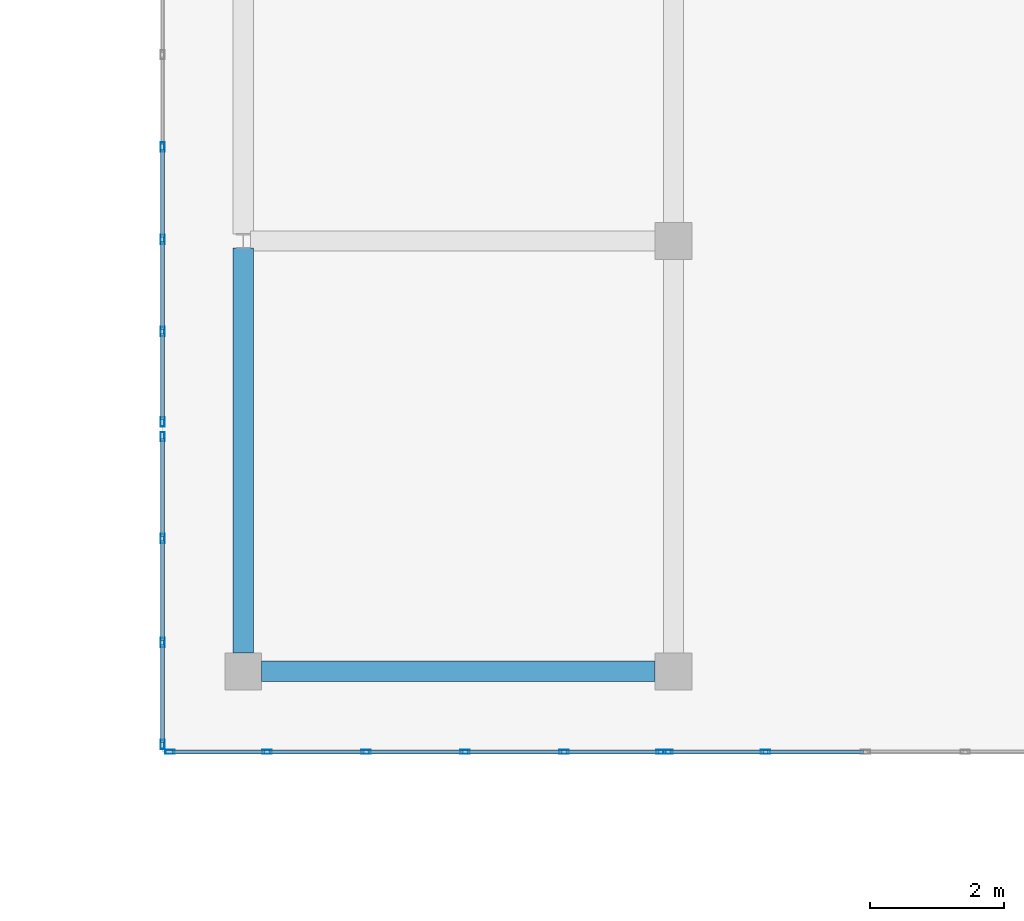
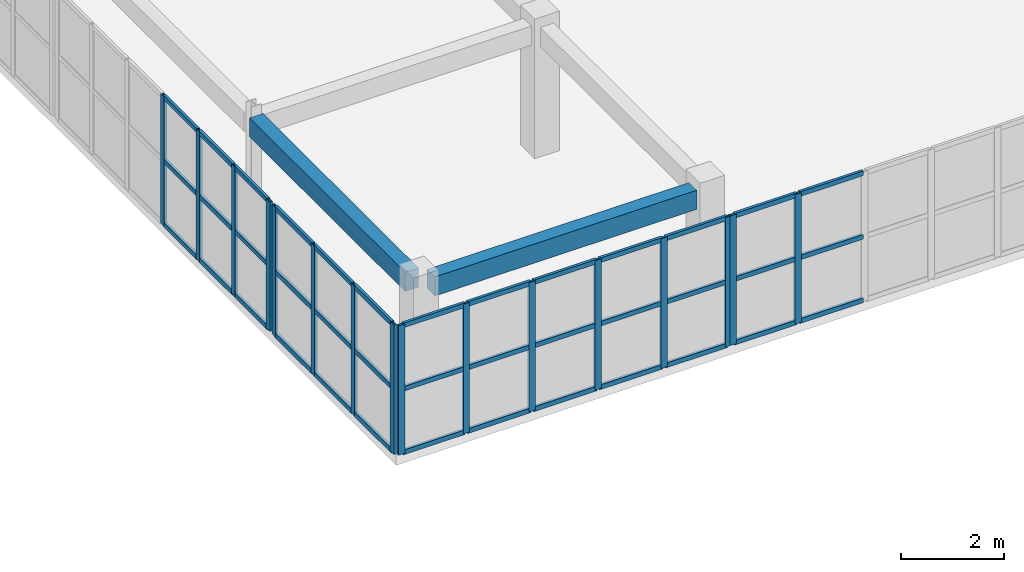
# One storey, part 16 of 148: 55 members, 2 beams, 4 elements without a shape of their own.
"""IFC4 building model written with IfcOpenShell, lengths in metres."""

from ifc_helpers import new_model, si_unit, direction, frame, origin, origin_2d, place, context, subcontext, project, spatial, rectangle, hollow_rectangle, extrude, material, layer, layer_set, material_profile, profile_set, type_object, element, aggregate, save


model = new_model("IFC4")

# Units and contexts
model_context = context("Model", 3, precision=1e-05, world=origin(), true_north=direction((0.0, 1.0)))
body_context = subcontext(model_context, "Body", "Model", "MODEL_VIEW")
ifc_project = project(units=[si_unit("LENGTHUNIT", "METRE"), si_unit("AREAUNIT", "SQUARE_METRE"), si_unit("VOLUMEUNIT", "CUBIC_METRE"), si_unit("PLANEANGLEUNIT", "RADIAN"), si_unit("MASSUNIT", "GRAM", prefix="KILO")], contexts=[model_context])

# Site, building, storey
site_placement = place(None, origin())
site = spatial("IfcSite", under=ifc_project, at=site_placement, CompositionType="ELEMENT")
building_placement = place(site_placement, origin())
building = spatial("IfcBuilding", under=site, at=building_placement, Name="Trelvath General Hospital", CompositionType="ELEMENT")
storey_placement = place(building_placement, frame((0.0, 0.0, 12.89990234375)))
storey = spatial("IfcBuildingStorey", under=building, at=storey_placement, Name="L03", CompositionType="ELEMENT", Elevation=12.89990234375)

# Beams
ifc_material_1 = material(Name="Concrete C35/45", Category="concrete")
ifc_material_profile_1 = material_profile(ifc_material_1, rectangle(XDim=0.300048828125, YDim=0.449951171875, at=origin_2d()), Name="RCB300x450")
ifc_profile_set_1 = profile_set([ifc_material_profile_1], Name="Concrete C35/45")
beam_type = type_object("IfcBeamType", Name="Beam RC300x450", PredefinedType="BEAM", material=ifc_profile_set_1)
beam_1_placement = place(storey_placement, frame((54.6708984375, 38.39990234375, 2.835205078125), z_axis=(1.0, 0.0, 0.0), x_axis=(0.0, 1.0, 0.0)))
element("IfcBeam", 1, at=beam_1_placement, inside=storey, type_object=beam_type, Name="Cube Interior Ring Beam CUBE-W-T1 L03", PredefinedType="BEAM", context=body_context, shape_type="SweptSolid", body=[
    extrude(rectangle(XDim=0.300048828125, YDim=0.449951171875, at=origin_2d()), origin(), (0.0, 0.0, 1.0), 5.858154296875),
])
beam_2_placement = place(storey_placement, frame((54.39990234375, 38.6708984375, 2.835205078125), z_axis=(0.0, 1.0, 0.0), x_axis=(-1.0, 0.0, 0.0)))
element("IfcBeam", 2, at=beam_2_placement, inside=storey, type_object=beam_type, Name="Cube Interior Ring Beam CUBE-W-T1 L03", PredefinedType="BEAM", context=body_context, shape_type="SweptSolid", body=[
    extrude(rectangle(XDim=0.300048828125, YDim=0.449951171875, at=origin_2d()), origin(), (0.0, 0.0, 1.0), 6.023193359375),
])

# Curtain wall, members
ifc_material_2 = material(Name="Anodised aluminium and low-E glass", Category="aluminium")
ifc_layer_1 = layer(ifc_material_2, 0.14990234375)
ifc_layer_set_1 = layer_set([ifc_layer_1], Name="Anodised aluminium and low-E glass")
curtain_wall_type_1 = type_object("IfcCurtainWallType", Name="CW CrystalCube 737 306 15", PredefinedType="USERDEFINED", material=ifc_layer_set_1)
curtain_wall_1_placement = place(storey_placement, origin())
curtain_wall_1 = element("IfcCurtainWall", 3, at=curtain_wall_1_placement, inside=storey, type_object=curtain_wall_type_1, Name="Crystal Cube Curtain Wall CUBE-W-T1 S1 L03", ObjectType="Unitised Glazed Curtain Wall", PredefinedType="USERDEFINED")
ifc_material_3 = material(Name="Anodised aluminium", Category="aluminium")
ifc_material_profile_2 = material_profile(ifc_material_3, hollow_rectangle(XDim=0.06005859375, YDim=0.139892578125, WallThickness=0.00390625, at=origin_2d()), Name="RHS60x140x4")
ifc_profile_set_2 = profile_set([ifc_material_profile_2], Name="Anodised aluminium")
member_type_1 = type_object("IfcMemberType", Name="CurtainMullion 60x140", PredefinedType="MULLION", material=ifc_profile_set_2)
member_1_placement = place(storey_placement, frame((60.61669921875, 37.199951171875, 0.0), z_axis=(0.0, 0.0, 1.0), x_axis=(0.0, -1.0, 0.0)))
member_1 = element("IfcMember", 4, at=member_1_placement, type_object=member_type_1, Name="CW-230 mullion 1", PredefinedType="MULLION", context=body_context, shape_type="SweptSolid", body=[
    extrude(hollow_rectangle(XDim=0.06005859375, YDim=0.139892578125, WallThickness=0.00390625, at=origin_2d()), origin(), (0.0, 0.0, 1.0), 3.06005859375),
])
member_2_placement = place(storey_placement, frame((59.17333984375, 37.199951171875, 0.0), z_axis=(0.0, 0.0, 1.0), x_axis=(0.0, -1.0, 0.0)))
member_2 = element("IfcMember", 5, at=member_2_placement, type_object=member_type_1, Name="CW-230 mullion 2", PredefinedType="MULLION", context=body_context, shape_type="SweptSolid", body=[
    extrude(hollow_rectangle(XDim=0.06005859375, YDim=0.139892578125, WallThickness=0.00390625, at=origin_2d()), origin(), (0.0, 0.0, 1.0), 3.06005859375),
])
member_3_placement = place(storey_placement, frame((57.699951171875, 37.199951171875, 0.0), z_axis=(0.0, 0.0, 1.0), x_axis=(0.0, -1.0, 0.0)))
member_3 = element("IfcMember", 6, at=member_3_placement, type_object=member_type_1, Name="CW-230 mullion 3", PredefinedType="MULLION", context=body_context, shape_type="SweptSolid", body=[
    extrude(hollow_rectangle(XDim=0.06005859375, YDim=0.139892578125, WallThickness=0.00390625, at=origin_2d()), origin(), (0.0, 0.0, 1.0), 3.06005859375),
])
member_4_placement = place(storey_placement, frame((56.2265625, 37.199951171875, 0.0), z_axis=(0.0, 0.0, 1.0), x_axis=(0.0, -1.0, 0.0)))
member_4 = element("IfcMember", 7, at=member_4_placement, type_object=member_type_1, Name="CW-230 mullion 4", PredefinedType="MULLION", context=body_context, shape_type="SweptSolid", body=[
    extrude(hollow_rectangle(XDim=0.06005859375, YDim=0.139892578125, WallThickness=0.00390625, at=origin_2d()), origin(), (0.0, 0.0, 1.0), 3.06005859375),
])
member_5_placement = place(storey_placement, frame((54.75341796875, 37.199951171875, 0.0), z_axis=(0.0, 0.0, 1.0), x_axis=(0.0, -1.0, 0.0)))
member_5 = element("IfcMember", 8, at=member_5_placement, type_object=member_type_1, Name="CW-230 mullion 5", PredefinedType="MULLION", context=body_context, shape_type="SweptSolid", body=[
    extrude(hollow_rectangle(XDim=0.06005859375, YDim=0.139892578125, WallThickness=0.00390625, at=origin_2d()), origin(), (0.0, 0.0, 1.0), 3.06005859375),
])
member_6_placement = place(storey_placement, frame((53.31005859375, 37.199951171875, 0.0), z_axis=(0.0, 0.0, 1.0), x_axis=(0.0, -1.0, 0.0)))
member_6 = element("IfcMember", 9, at=member_6_placement, type_object=member_type_1, Name="CW-230 mullion 6", PredefinedType="MULLION", context=body_context, shape_type="SweptSolid", body=[
    extrude(hollow_rectangle(XDim=0.06005859375, YDim=0.139892578125, WallThickness=0.00390625, at=origin_2d()), origin(), (0.0, 0.0, 1.0), 3.06005859375),
])

ifc_material_4 = material(Name="Anodised aluminium and low-E glass", Category="aluminium")
ifc_layer_2 = layer(ifc_material_4, 0.14990234375)
ifc_layer_set_2 = layer_set([ifc_layer_2], Name="Anodised aluminium and low-E glass")
curtain_wall_type_2 = type_object("IfcCurtainWallType", Name="CW CrystalCube 743 306 15", PredefinedType="USERDEFINED", material=ifc_layer_set_2)
curtain_wall_2_placement = place(storey_placement, origin())
curtain_wall_2 = element("IfcCurtainWall", 10, at=curtain_wall_2_placement, inside=storey, type_object=curtain_wall_type_2, Name="Crystal Cube Curtain Wall CUBE-W-T1 S2 L03", ObjectType="Unitised Glazed Curtain Wall", PredefinedType="USERDEFINED")
member_7_placement = place(storey_placement, frame((62.172119140625, 37.199951171875, 0.0), z_axis=(0.0, 0.0, 1.0), x_axis=(0.0, -1.0, 0.0)))
member_7 = element("IfcMember", 11, at=member_7_placement, type_object=member_type_1, Name="CW-231 mullion 5", PredefinedType="MULLION", context=body_context, shape_type="SweptSolid", body=[
    extrude(hollow_rectangle(XDim=0.06005859375, YDim=0.139892578125, WallThickness=0.00390625, at=origin_2d()), origin(), (0.0, 0.0, 1.0), 3.06005859375),
])
member_8_placement = place(storey_placement, frame((60.716796875, 37.199951171875, 0.0), z_axis=(0.0, 0.0, 1.0), x_axis=(0.0, -1.0, 0.0)))
member_8 = element("IfcMember", 12, at=member_8_placement, type_object=member_type_1, Name="CW-231 mullion 6", PredefinedType="MULLION", context=body_context, shape_type="SweptSolid", body=[
    extrude(hollow_rectangle(XDim=0.06005859375, YDim=0.139892578125, WallThickness=0.00390625, at=origin_2d()), origin(), (0.0, 0.0, 1.0), 3.06005859375),
])

ifc_material_5 = material(Name="Anodised aluminium and low-E glass", Category="aluminium")
ifc_layer_3 = layer(ifc_material_5, 0.14990234375)
ifc_layer_set_3 = layer_set([ifc_layer_3], Name="Anodised aluminium and low-E glass")
curtain_wall_type_3 = type_object("IfcCurtainWallType", Name="CW CrystalCube 464 306 15", PredefinedType="USERDEFINED", material=ifc_layer_set_3)
curtain_wall_3_placement = place(storey_placement, origin())
curtain_wall_3 = element("IfcCurtainWall", 13, at=curtain_wall_3_placement, inside=storey, type_object=curtain_wall_type_3, Name="Crystal Cube Curtain Wall CUBE-W-T1 W1 L03", ObjectType="Unitised Glazed Curtain Wall", PredefinedType="USERDEFINED")
member_9_placement = place(storey_placement, frame((53.199951171875, 37.31005859375, 0.0), z_axis=(0.0, 0.0, 1.0), x_axis=(-1.0, 0.0, 0.0)))
member_9 = element("IfcMember", 14, at=member_9_placement, type_object=member_type_1, Name="CW-236 mullion 1", PredefinedType="MULLION", context=body_context, shape_type="SweptSolid", body=[
    extrude(hollow_rectangle(XDim=0.06005859375, YDim=0.139892578125, WallThickness=0.00390625, at=origin_2d()), origin(), (0.0, 0.0, 1.0), 3.06005859375),
])
member_10_placement = place(storey_placement, frame((53.199951171875, 38.82666015625, 0.0), z_axis=(0.0, 0.0, 1.0), x_axis=(-1.0, 0.0, 0.0)))
member_10 = element("IfcMember", 15, at=member_10_placement, type_object=member_type_1, Name="CW-236 mullion 2", PredefinedType="MULLION", context=body_context, shape_type="SweptSolid", body=[
    extrude(hollow_rectangle(XDim=0.06005859375, YDim=0.139892578125, WallThickness=0.00390625, at=origin_2d()), origin(), (0.0, 0.0, 1.0), 3.06005859375),
])
member_11_placement = place(storey_placement, frame((53.199951171875, 40.373291015625, 0.0), z_axis=(0.0, 0.0, 1.0), x_axis=(-1.0, 0.0, 0.0)))
member_11 = element("IfcMember", 16, at=member_11_placement, type_object=member_type_1, Name="CW-236 mullion 3", PredefinedType="MULLION", context=body_context, shape_type="SweptSolid", body=[
    extrude(hollow_rectangle(XDim=0.06005859375, YDim=0.139892578125, WallThickness=0.00390625, at=origin_2d()), origin(), (0.0, 0.0, 1.0), 3.06005859375),
])
member_12_placement = place(storey_placement, frame((53.199951171875, 41.889892578125, 0.0), z_axis=(0.0, 0.0, 1.0), x_axis=(-1.0, 0.0, 0.0)))
member_12 = element("IfcMember", 17, at=member_12_placement, type_object=member_type_1, Name="CW-236 mullion 4", PredefinedType="MULLION", context=body_context, shape_type="SweptSolid", body=[
    extrude(hollow_rectangle(XDim=0.06005859375, YDim=0.139892578125, WallThickness=0.00390625, at=origin_2d()), origin(), (0.0, 0.0, 1.0), 3.06005859375),
])

ifc_material_6 = material(Name="Anodised aluminium and low-E glass", Category="aluminium")
ifc_layer_4 = layer(ifc_material_6, 0.14990234375)
ifc_layer_set_4 = layer_set([ifc_layer_4], Name="Anodised aluminium and low-E glass")
curtain_wall_type_4 = type_object("IfcCurtainWallType", Name="CW CrystalCube 824 306 15", PredefinedType="USERDEFINED", material=ifc_layer_set_4)
curtain_wall_4_placement = place(storey_placement, origin())
curtain_wall_4 = element("IfcCurtainWall", 18, at=curtain_wall_4_placement, inside=storey, type_object=curtain_wall_type_4, Name="Crystal Cube Curtain Wall CUBE-W-T1 W2 L03", ObjectType="Unitised Glazed Curtain Wall", PredefinedType="USERDEFINED")
member_13_placement = place(storey_placement, frame((53.199951171875, 42.110107421875, 0.0), z_axis=(0.0, 0.0, 1.0), x_axis=(-1.0, 0.0, 0.0)))
member_13 = element("IfcMember", 19, at=member_13_placement, type_object=member_type_1, Name="CW-238 mullion 1", PredefinedType="MULLION", context=body_context, shape_type="SweptSolid", body=[
    extrude(hollow_rectangle(XDim=0.06005859375, YDim=0.139892578125, WallThickness=0.00390625, at=origin_2d()), origin(), (0.0, 0.0, 1.0), 3.06005859375),
])
member_14_placement = place(storey_placement, frame((53.199951171875, 43.453369140625, 0.0), z_axis=(0.0, 0.0, 1.0), x_axis=(-1.0, 0.0, 0.0)))
member_14 = element("IfcMember", 20, at=member_14_placement, type_object=member_type_1, Name="CW-238 mullion 2", PredefinedType="MULLION", context=body_context, shape_type="SweptSolid", body=[
    extrude(hollow_rectangle(XDim=0.06005859375, YDim=0.139892578125, WallThickness=0.00390625, at=origin_2d()), origin(), (0.0, 0.0, 1.0), 3.06005859375),
])
member_15_placement = place(storey_placement, frame((53.199951171875, 44.82666015625, 0.0), z_axis=(0.0, 0.0, 1.0), x_axis=(-1.0, 0.0, 0.0)))
member_15 = element("IfcMember", 21, at=member_15_placement, type_object=member_type_1, Name="CW-238 mullion 3", PredefinedType="MULLION", context=body_context, shape_type="SweptSolid", body=[
    extrude(hollow_rectangle(XDim=0.06005859375, YDim=0.139892578125, WallThickness=0.00390625, at=origin_2d()), origin(), (0.0, 0.0, 1.0), 3.06005859375),
])
member_16_placement = place(storey_placement, frame((53.199951171875, 46.199951171875, 0.0), z_axis=(0.0, 0.0, 1.0), x_axis=(-1.0, 0.0, 0.0)))
member_16 = element("IfcMember", 22, at=member_16_placement, type_object=member_type_1, Name="CW-238 mullion 4", PredefinedType="MULLION", context=body_context, shape_type="SweptSolid", body=[
    extrude(hollow_rectangle(XDim=0.06005859375, YDim=0.139892578125, WallThickness=0.00390625, at=origin_2d()), origin(), (0.0, 0.0, 1.0), 3.06005859375),
])

# Member
ifc_material_7 = material(Name="Anodised aluminium", Category="aluminium")
ifc_material_profile_3 = material_profile(ifc_material_7, hollow_rectangle(XDim=0.06005859375, YDim=0.110107421875, WallThickness=0.00390625, at=origin_2d()), Name="RHS60x110x4")
ifc_profile_set_3 = profile_set([ifc_material_profile_3], Name="Anodised aluminium")
member_type_2 = type_object("IfcMemberType", Name="CurtainTransom 60x110", PredefinedType="USERDEFINED", material=ifc_profile_set_3)
member_17_placement = place(storey_placement, frame((60.586669921875, 37.199951171875, 0.030029296875), z_axis=(-1.0, 0.0, 0.0), x_axis=(0.0, -1.0, 0.0)))
member_17 = element("IfcMember", 23, at=member_17_placement, type_object=member_type_2, Name="CW-230 transom 1.1", ObjectType="TRANSOM", PredefinedType="USERDEFINED", context=body_context, shape_type="SweptSolid", body=[
    extrude(hollow_rectangle(XDim=0.06005859375, YDim=0.110107421875, WallThickness=0.00390625, at=origin_2d()), origin(), (0.0, 0.0, 1.0), 1.38330078125),
])

member_18_placement = place(storey_placement, frame((60.586669921875, 37.199951171875, 1.530029296875), z_axis=(-1.0, 0.0, 0.0), x_axis=(0.0, -1.0, 0.0)))
member_18 = element("IfcMember", 24, at=member_18_placement, type_object=member_type_2, Name="CW-230 transom 1.2", ObjectType="TRANSOM", PredefinedType="USERDEFINED", context=body_context, shape_type="SweptSolid", body=[
    extrude(hollow_rectangle(XDim=0.06005859375, YDim=0.110107421875, WallThickness=0.00390625, at=origin_2d()), origin(), (0.0, 0.0, 1.0), 1.38330078125),
])

member_19_placement = place(storey_placement, frame((60.586669921875, 37.199951171875, 3.030029296875), z_axis=(-1.0, 0.0, 0.0), x_axis=(0.0, -1.0, 0.0)))
member_19 = element("IfcMember", 25, at=member_19_placement, type_object=member_type_2, Name="CW-230 transom 1.3", ObjectType="TRANSOM", PredefinedType="USERDEFINED", context=body_context, shape_type="SweptSolid", body=[
    extrude(hollow_rectangle(XDim=0.06005859375, YDim=0.110107421875, WallThickness=0.00390625, at=origin_2d()), origin(), (0.0, 0.0, 1.0), 1.38330078125),
])

member_20_placement = place(storey_placement, frame((59.143310546875, 37.199951171875, 0.030029296875), z_axis=(-1.0, 0.0, 0.0), x_axis=(0.0, -1.0, 0.0)))
member_20 = element("IfcMember", 26, at=member_20_placement, type_object=member_type_2, Name="CW-230 transom 2.1", ObjectType="TRANSOM", PredefinedType="USERDEFINED", context=body_context, shape_type="SweptSolid", body=[
    extrude(hollow_rectangle(XDim=0.06005859375, YDim=0.110107421875, WallThickness=0.00390625, at=origin_2d()), origin(), (0.0, 0.0, 1.0), 1.413330078125),
])

member_21_placement = place(storey_placement, frame((59.143310546875, 37.199951171875, 1.530029296875), z_axis=(-1.0, 0.0, 0.0), x_axis=(0.0, -1.0, 0.0)))
member_21 = element("IfcMember", 27, at=member_21_placement, type_object=member_type_2, Name="CW-230 transom 2.2", ObjectType="TRANSOM", PredefinedType="USERDEFINED", context=body_context, shape_type="SweptSolid", body=[
    extrude(hollow_rectangle(XDim=0.06005859375, YDim=0.110107421875, WallThickness=0.00390625, at=origin_2d()), origin(), (0.0, 0.0, 1.0), 1.413330078125),
])

member_22_placement = place(storey_placement, frame((59.143310546875, 37.199951171875, 3.030029296875), z_axis=(-1.0, 0.0, 0.0), x_axis=(0.0, -1.0, 0.0)))
member_22 = element("IfcMember", 28, at=member_22_placement, type_object=member_type_2, Name="CW-230 transom 2.3", ObjectType="TRANSOM", PredefinedType="USERDEFINED", context=body_context, shape_type="SweptSolid", body=[
    extrude(hollow_rectangle(XDim=0.06005859375, YDim=0.110107421875, WallThickness=0.00390625, at=origin_2d()), origin(), (0.0, 0.0, 1.0), 1.413330078125),
])

member_23_placement = place(storey_placement, frame((57.669921875, 37.199951171875, 0.030029296875), z_axis=(-1.0, 0.0, 0.0), x_axis=(0.0, -1.0, 0.0)))
member_23 = element("IfcMember", 29, at=member_23_placement, type_object=member_type_2, Name="CW-230 transom 3.1", ObjectType="TRANSOM", PredefinedType="USERDEFINED", context=body_context, shape_type="SweptSolid", body=[
    extrude(hollow_rectangle(XDim=0.06005859375, YDim=0.110107421875, WallThickness=0.00390625, at=origin_2d()), origin(), (0.0, 0.0, 1.0), 1.413330078125),
])

member_24_placement = place(storey_placement, frame((57.669921875, 37.199951171875, 1.530029296875), z_axis=(-1.0, 0.0, 0.0), x_axis=(0.0, -1.0, 0.0)))
member_24 = element("IfcMember", 30, at=member_24_placement, type_object=member_type_2, Name="CW-230 transom 3.2", ObjectType="TRANSOM", PredefinedType="USERDEFINED", context=body_context, shape_type="SweptSolid", body=[
    extrude(hollow_rectangle(XDim=0.06005859375, YDim=0.110107421875, WallThickness=0.00390625, at=origin_2d()), origin(), (0.0, 0.0, 1.0), 1.413330078125),
])

member_25_placement = place(storey_placement, frame((57.669921875, 37.199951171875, 3.030029296875), z_axis=(-1.0, 0.0, 0.0), x_axis=(0.0, -1.0, 0.0)))
member_25 = element("IfcMember", 31, at=member_25_placement, type_object=member_type_2, Name="CW-230 transom 3.3", ObjectType="TRANSOM", PredefinedType="USERDEFINED", context=body_context, shape_type="SweptSolid", body=[
    extrude(hollow_rectangle(XDim=0.06005859375, YDim=0.110107421875, WallThickness=0.00390625, at=origin_2d()), origin(), (0.0, 0.0, 1.0), 1.413330078125),
])

member_26_placement = place(storey_placement, frame((56.19677734375, 37.199951171875, 0.030029296875), z_axis=(-1.0, 0.0, 0.0), x_axis=(0.0, -1.0, 0.0)))
member_26 = element("IfcMember", 32, at=member_26_placement, type_object=member_type_2, Name="CW-230 transom 4.1", ObjectType="TRANSOM", PredefinedType="USERDEFINED", context=body_context, shape_type="SweptSolid", body=[
    extrude(hollow_rectangle(XDim=0.06005859375, YDim=0.110107421875, WallThickness=0.00390625, at=origin_2d()), origin(), (0.0, 0.0, 1.0), 1.413330078125),
])

member_27_placement = place(storey_placement, frame((56.19677734375, 37.199951171875, 1.530029296875), z_axis=(-1.0, 0.0, 0.0), x_axis=(0.0, -1.0, 0.0)))
member_27 = element("IfcMember", 33, at=member_27_placement, type_object=member_type_2, Name="CW-230 transom 4.2", ObjectType="TRANSOM", PredefinedType="USERDEFINED", context=body_context, shape_type="SweptSolid", body=[
    extrude(hollow_rectangle(XDim=0.06005859375, YDim=0.110107421875, WallThickness=0.00390625, at=origin_2d()), origin(), (0.0, 0.0, 1.0), 1.413330078125),
])

member_28_placement = place(storey_placement, frame((56.19677734375, 37.199951171875, 3.030029296875), z_axis=(-1.0, 0.0, 0.0), x_axis=(0.0, -1.0, 0.0)))
member_28 = element("IfcMember", 34, at=member_28_placement, type_object=member_type_2, Name="CW-230 transom 4.3", ObjectType="TRANSOM", PredefinedType="USERDEFINED", context=body_context, shape_type="SweptSolid", body=[
    extrude(hollow_rectangle(XDim=0.06005859375, YDim=0.110107421875, WallThickness=0.00390625, at=origin_2d()), origin(), (0.0, 0.0, 1.0), 1.413330078125),
])

member_29_placement = place(storey_placement, frame((54.723388671875, 37.199951171875, 0.030029296875), z_axis=(-1.0, 0.0, 0.0), x_axis=(0.0, -1.0, 0.0)))
member_29 = element("IfcMember", 35, at=member_29_placement, type_object=member_type_2, Name="CW-230 transom 5.1", ObjectType="TRANSOM", PredefinedType="USERDEFINED", context=body_context, shape_type="SweptSolid", body=[
    extrude(hollow_rectangle(XDim=0.06005859375, YDim=0.110107421875, WallThickness=0.00390625, at=origin_2d()), origin(), (0.0, 0.0, 1.0), 1.38330078125),
])

member_30_placement = place(storey_placement, frame((54.723388671875, 37.199951171875, 1.530029296875), z_axis=(-1.0, 0.0, 0.0), x_axis=(0.0, -1.0, 0.0)))
member_30 = element("IfcMember", 36, at=member_30_placement, type_object=member_type_2, Name="CW-230 transom 5.2", ObjectType="TRANSOM", PredefinedType="USERDEFINED", context=body_context, shape_type="SweptSolid", body=[
    extrude(hollow_rectangle(XDim=0.06005859375, YDim=0.110107421875, WallThickness=0.00390625, at=origin_2d()), origin(), (0.0, 0.0, 1.0), 1.38330078125),
])

member_31_placement = place(storey_placement, frame((54.723388671875, 37.199951171875, 3.030029296875), z_axis=(-1.0, 0.0, 0.0), x_axis=(0.0, -1.0, 0.0)))
member_31 = element("IfcMember", 37, at=member_31_placement, type_object=member_type_2, Name="CW-230 transom 5.3", ObjectType="TRANSOM", PredefinedType="USERDEFINED", context=body_context, shape_type="SweptSolid", body=[
    extrude(hollow_rectangle(XDim=0.06005859375, YDim=0.110107421875, WallThickness=0.00390625, at=origin_2d()), origin(), (0.0, 0.0, 1.0), 1.38330078125),
])

aggregate(curtain_wall_1, [member_1, member_2, member_3, member_4, member_5, member_6, member_17, member_18, member_19, member_20, member_21, member_22, member_23, member_24, member_25, member_26, member_27, member_28, member_29, member_30, member_31])

member_32_placement = place(storey_placement, frame((63.62744140625, 37.199951171875, 0.030029296875), z_axis=(-1.0, 0.0, 0.0), x_axis=(0.0, -1.0, 0.0)))
member_32 = element("IfcMember", 38, at=member_32_placement, type_object=member_type_2, Name="CW-231 transom 4.1", ObjectType="TRANSOM", PredefinedType="USERDEFINED", context=body_context, shape_type="SweptSolid", body=[
    extrude(hollow_rectangle(XDim=0.06005859375, YDim=0.110107421875, WallThickness=0.00390625, at=origin_2d()), origin(), (0.0, 0.0, 1.0), 1.425537109375),
])

member_33_placement = place(storey_placement, frame((63.62744140625, 37.199951171875, 1.530029296875), z_axis=(-1.0, 0.0, 0.0), x_axis=(0.0, -1.0, 0.0)))
member_33 = element("IfcMember", 39, at=member_33_placement, type_object=member_type_2, Name="CW-231 transom 4.2", ObjectType="TRANSOM", PredefinedType="USERDEFINED", context=body_context, shape_type="SweptSolid", body=[
    extrude(hollow_rectangle(XDim=0.06005859375, YDim=0.110107421875, WallThickness=0.00390625, at=origin_2d()), origin(), (0.0, 0.0, 1.0), 1.425537109375),
])

member_34_placement = place(storey_placement, frame((63.62744140625, 37.199951171875, 3.030029296875), z_axis=(-1.0, 0.0, 0.0), x_axis=(0.0, -1.0, 0.0)))
member_34 = element("IfcMember", 40, at=member_34_placement, type_object=member_type_2, Name="CW-231 transom 4.3", ObjectType="TRANSOM", PredefinedType="USERDEFINED", context=body_context, shape_type="SweptSolid", body=[
    extrude(hollow_rectangle(XDim=0.06005859375, YDim=0.110107421875, WallThickness=0.00390625, at=origin_2d()), origin(), (0.0, 0.0, 1.0), 1.425537109375),
])

member_35_placement = place(storey_placement, frame((62.14208984375, 37.199951171875, 0.030029296875), z_axis=(-1.0, 0.0, 0.0), x_axis=(0.0, -1.0, 0.0)))
member_35 = element("IfcMember", 41, at=member_35_placement, type_object=member_type_2, Name="CW-231 transom 5.1", ObjectType="TRANSOM", PredefinedType="USERDEFINED", context=body_context, shape_type="SweptSolid", body=[
    extrude(hollow_rectangle(XDim=0.06005859375, YDim=0.110107421875, WallThickness=0.00390625, at=origin_2d()), origin(), (0.0, 0.0, 1.0), 1.3955078125),
])

member_36_placement = place(storey_placement, frame((62.14208984375, 37.199951171875, 1.530029296875), z_axis=(-1.0, 0.0, 0.0), x_axis=(0.0, -1.0, 0.0)))
member_36 = element("IfcMember", 42, at=member_36_placement, type_object=member_type_2, Name="CW-231 transom 5.2", ObjectType="TRANSOM", PredefinedType="USERDEFINED", context=body_context, shape_type="SweptSolid", body=[
    extrude(hollow_rectangle(XDim=0.06005859375, YDim=0.110107421875, WallThickness=0.00390625, at=origin_2d()), origin(), (0.0, 0.0, 1.0), 1.3955078125),
])

member_37_placement = place(storey_placement, frame((62.14208984375, 37.199951171875, 3.030029296875), z_axis=(-1.0, 0.0, 0.0), x_axis=(0.0, -1.0, 0.0)))
member_37 = element("IfcMember", 43, at=member_37_placement, type_object=member_type_2, Name="CW-231 transom 5.3", ObjectType="TRANSOM", PredefinedType="USERDEFINED", context=body_context, shape_type="SweptSolid", body=[
    extrude(hollow_rectangle(XDim=0.06005859375, YDim=0.110107421875, WallThickness=0.00390625, at=origin_2d()), origin(), (0.0, 0.0, 1.0), 1.3955078125),
])

aggregate(curtain_wall_2, [member_7, member_8, member_32, member_33, member_34, member_35, member_36, member_37])

member_38_placement = place(storey_placement, frame((53.199951171875, 37.340087890625, 0.030029296875), z_axis=(0.0, 1.0, 0.0), x_axis=(-1.0, 0.0, 0.0)))
member_38 = element("IfcMember", 44, at=member_38_placement, type_object=member_type_2, Name="CW-236 transom 1.1", ObjectType="TRANSOM", PredefinedType="USERDEFINED", context=body_context, shape_type="SweptSolid", body=[
    extrude(hollow_rectangle(XDim=0.06005859375, YDim=0.110107421875, WallThickness=0.00390625, at=origin_2d()), origin(), (0.0, 0.0, 1.0), 1.45654296875),
])

member_39_placement = place(storey_placement, frame((53.199951171875, 37.340087890625, 1.530029296875), z_axis=(0.0, 1.0, 0.0), x_axis=(-1.0, 0.0, 0.0)))
member_39 = element("IfcMember", 45, at=member_39_placement, type_object=member_type_2, Name="CW-236 transom 1.2", ObjectType="TRANSOM", PredefinedType="USERDEFINED", context=body_context, shape_type="SweptSolid", body=[
    extrude(hollow_rectangle(XDim=0.06005859375, YDim=0.110107421875, WallThickness=0.00390625, at=origin_2d()), origin(), (0.0, 0.0, 1.0), 1.45654296875),
])

member_40_placement = place(storey_placement, frame((53.199951171875, 37.340087890625, 3.030029296875), z_axis=(0.0, 1.0, 0.0), x_axis=(-1.0, 0.0, 0.0)))
member_40 = element("IfcMember", 46, at=member_40_placement, type_object=member_type_2, Name="CW-236 transom 1.3", ObjectType="TRANSOM", PredefinedType="USERDEFINED", context=body_context, shape_type="SweptSolid", body=[
    extrude(hollow_rectangle(XDim=0.06005859375, YDim=0.110107421875, WallThickness=0.00390625, at=origin_2d()), origin(), (0.0, 0.0, 1.0), 1.45654296875),
])

member_41_placement = place(storey_placement, frame((53.199951171875, 38.856689453125, 0.030029296875), z_axis=(0.0, 1.0, 0.0), x_axis=(-1.0, 0.0, 0.0)))
member_41 = element("IfcMember", 47, at=member_41_placement, type_object=member_type_2, Name="CW-236 transom 2.1", ObjectType="TRANSOM", PredefinedType="USERDEFINED", context=body_context, shape_type="SweptSolid", body=[
    extrude(hollow_rectangle(XDim=0.06005859375, YDim=0.110107421875, WallThickness=0.00390625, at=origin_2d()), origin(), (0.0, 0.0, 1.0), 1.486572265625),
])

member_42_placement = place(storey_placement, frame((53.199951171875, 38.856689453125, 1.530029296875), z_axis=(0.0, 1.0, 0.0), x_axis=(-1.0, 0.0, 0.0)))
member_42 = element("IfcMember", 48, at=member_42_placement, type_object=member_type_2, Name="CW-236 transom 2.2", ObjectType="TRANSOM", PredefinedType="USERDEFINED", context=body_context, shape_type="SweptSolid", body=[
    extrude(hollow_rectangle(XDim=0.06005859375, YDim=0.110107421875, WallThickness=0.00390625, at=origin_2d()), origin(), (0.0, 0.0, 1.0), 1.486572265625),
])

member_43_placement = place(storey_placement, frame((53.199951171875, 38.856689453125, 3.030029296875), z_axis=(0.0, 1.0, 0.0), x_axis=(-1.0, 0.0, 0.0)))
member_43 = element("IfcMember", 49, at=member_43_placement, type_object=member_type_2, Name="CW-236 transom 2.3", ObjectType="TRANSOM", PredefinedType="USERDEFINED", context=body_context, shape_type="SweptSolid", body=[
    extrude(hollow_rectangle(XDim=0.06005859375, YDim=0.110107421875, WallThickness=0.00390625, at=origin_2d()), origin(), (0.0, 0.0, 1.0), 1.486572265625),
])

member_44_placement = place(storey_placement, frame((53.199951171875, 40.4033203125, 0.030029296875), z_axis=(0.0, 1.0, 0.0), x_axis=(-1.0, 0.0, 0.0)))
member_44 = element("IfcMember", 50, at=member_44_placement, type_object=member_type_2, Name="CW-236 transom 3.1", ObjectType="TRANSOM", PredefinedType="USERDEFINED", context=body_context, shape_type="SweptSolid", body=[
    extrude(hollow_rectangle(XDim=0.06005859375, YDim=0.110107421875, WallThickness=0.00390625, at=origin_2d()), origin(), (0.0, 0.0, 1.0), 1.456787109375),
])

member_45_placement = place(storey_placement, frame((53.199951171875, 40.4033203125, 1.530029296875), z_axis=(0.0, 1.0, 0.0), x_axis=(-1.0, 0.0, 0.0)))
member_45 = element("IfcMember", 51, at=member_45_placement, type_object=member_type_2, Name="CW-236 transom 3.2", ObjectType="TRANSOM", PredefinedType="USERDEFINED", context=body_context, shape_type="SweptSolid", body=[
    extrude(hollow_rectangle(XDim=0.06005859375, YDim=0.110107421875, WallThickness=0.00390625, at=origin_2d()), origin(), (0.0, 0.0, 1.0), 1.456787109375),
])

member_46_placement = place(storey_placement, frame((53.199951171875, 40.4033203125, 3.030029296875), z_axis=(0.0, 1.0, 0.0), x_axis=(-1.0, 0.0, 0.0)))
member_46 = element("IfcMember", 52, at=member_46_placement, type_object=member_type_2, Name="CW-236 transom 3.3", ObjectType="TRANSOM", PredefinedType="USERDEFINED", context=body_context, shape_type="SweptSolid", body=[
    extrude(hollow_rectangle(XDim=0.06005859375, YDim=0.110107421875, WallThickness=0.00390625, at=origin_2d()), origin(), (0.0, 0.0, 1.0), 1.456787109375),
])

aggregate(curtain_wall_3, [member_9, member_10, member_11, member_12, member_38, member_39, member_40, member_41, member_42, member_43, member_44, member_45, member_46])

member_47_placement = place(storey_placement, frame((53.199951171875, 42.139892578125, 0.030029296875), z_axis=(0.0, 1.0, 0.0), x_axis=(-1.0, 0.0, 0.0)))
member_47 = element("IfcMember", 53, at=member_47_placement, type_object=member_type_2, Name="CW-238 transom 1.1", ObjectType="TRANSOM", PredefinedType="USERDEFINED", context=body_context, shape_type="SweptSolid", body=[
    extrude(hollow_rectangle(XDim=0.06005859375, YDim=0.110107421875, WallThickness=0.00390625, at=origin_2d()), origin(), (0.0, 0.0, 1.0), 1.283447265625),
])

member_48_placement = place(storey_placement, frame((53.199951171875, 42.139892578125, 1.530029296875), z_axis=(0.0, 1.0, 0.0), x_axis=(-1.0, 0.0, 0.0)))
member_48 = element("IfcMember", 54, at=member_48_placement, type_object=member_type_2, Name="CW-238 transom 1.2", ObjectType="TRANSOM", PredefinedType="USERDEFINED", context=body_context, shape_type="SweptSolid", body=[
    extrude(hollow_rectangle(XDim=0.06005859375, YDim=0.110107421875, WallThickness=0.00390625, at=origin_2d()), origin(), (0.0, 0.0, 1.0), 1.283447265625),
])

member_49_placement = place(storey_placement, frame((53.199951171875, 42.139892578125, 3.030029296875), z_axis=(0.0, 1.0, 0.0), x_axis=(-1.0, 0.0, 0.0)))
member_49 = element("IfcMember", 55, at=member_49_placement, type_object=member_type_2, Name="CW-238 transom 1.3", ObjectType="TRANSOM", PredefinedType="USERDEFINED", context=body_context, shape_type="SweptSolid", body=[
    extrude(hollow_rectangle(XDim=0.06005859375, YDim=0.110107421875, WallThickness=0.00390625, at=origin_2d()), origin(), (0.0, 0.0, 1.0), 1.283447265625),
])

member_50_placement = place(storey_placement, frame((53.199951171875, 43.4833984375, 0.030029296875), z_axis=(0.0, 1.0, 0.0), x_axis=(-1.0, 0.0, 0.0)))
member_50 = element("IfcMember", 56, at=member_50_placement, type_object=member_type_2, Name="CW-238 transom 2.1", ObjectType="TRANSOM", PredefinedType="USERDEFINED", context=body_context, shape_type="SweptSolid", body=[
    extrude(hollow_rectangle(XDim=0.06005859375, YDim=0.110107421875, WallThickness=0.00390625, at=origin_2d()), origin(), (0.0, 0.0, 1.0), 1.313232421875),
])

member_51_placement = place(storey_placement, frame((53.199951171875, 43.4833984375, 1.530029296875), z_axis=(0.0, 1.0, 0.0), x_axis=(-1.0, 0.0, 0.0)))
member_51 = element("IfcMember", 57, at=member_51_placement, type_object=member_type_2, Name="CW-238 transom 2.2", ObjectType="TRANSOM", PredefinedType="USERDEFINED", context=body_context, shape_type="SweptSolid", body=[
    extrude(hollow_rectangle(XDim=0.06005859375, YDim=0.110107421875, WallThickness=0.00390625, at=origin_2d()), origin(), (0.0, 0.0, 1.0), 1.313232421875),
])

member_52_placement = place(storey_placement, frame((53.199951171875, 43.4833984375, 3.030029296875), z_axis=(0.0, 1.0, 0.0), x_axis=(-1.0, 0.0, 0.0)))
member_52 = element("IfcMember", 58, at=member_52_placement, type_object=member_type_2, Name="CW-238 transom 2.3", ObjectType="TRANSOM", PredefinedType="USERDEFINED", context=body_context, shape_type="SweptSolid", body=[
    extrude(hollow_rectangle(XDim=0.06005859375, YDim=0.110107421875, WallThickness=0.00390625, at=origin_2d()), origin(), (0.0, 0.0, 1.0), 1.313232421875),
])

member_53_placement = place(storey_placement, frame((53.199951171875, 44.856689453125, 0.030029296875), z_axis=(0.0, 1.0, 0.0), x_axis=(-1.0, 0.0, 0.0)))
member_53 = element("IfcMember", 59, at=member_53_placement, type_object=member_type_2, Name="CW-238 transom 3.1", ObjectType="TRANSOM", PredefinedType="USERDEFINED", context=body_context, shape_type="SweptSolid", body=[
    extrude(hollow_rectangle(XDim=0.06005859375, YDim=0.110107421875, WallThickness=0.00390625, at=origin_2d()), origin(), (0.0, 0.0, 1.0), 1.313232421875),
])

member_54_placement = place(storey_placement, frame((53.199951171875, 44.856689453125, 1.530029296875), z_axis=(0.0, 1.0, 0.0), x_axis=(-1.0, 0.0, 0.0)))
member_54 = element("IfcMember", 60, at=member_54_placement, type_object=member_type_2, Name="CW-238 transom 3.2", ObjectType="TRANSOM", PredefinedType="USERDEFINED", context=body_context, shape_type="SweptSolid", body=[
    extrude(hollow_rectangle(XDim=0.06005859375, YDim=0.110107421875, WallThickness=0.00390625, at=origin_2d()), origin(), (0.0, 0.0, 1.0), 1.313232421875),
])

member_55_placement = place(storey_placement, frame((53.199951171875, 44.856689453125, 3.030029296875), z_axis=(0.0, 1.0, 0.0), x_axis=(-1.0, 0.0, 0.0)))
member_55 = element("IfcMember", 61, at=member_55_placement, type_object=member_type_2, Name="CW-238 transom 3.3", ObjectType="TRANSOM", PredefinedType="USERDEFINED", context=body_context, shape_type="SweptSolid", body=[
    extrude(hollow_rectangle(XDim=0.06005859375, YDim=0.110107421875, WallThickness=0.00390625, at=origin_2d()), origin(), (0.0, 0.0, 1.0), 1.313232421875),
])

aggregate(curtain_wall_4, [member_13, member_14, member_15, member_16, member_47, member_48, member_49, member_50, member_51, member_52, member_53, member_54, member_55])

save(model, "model.ifc")
